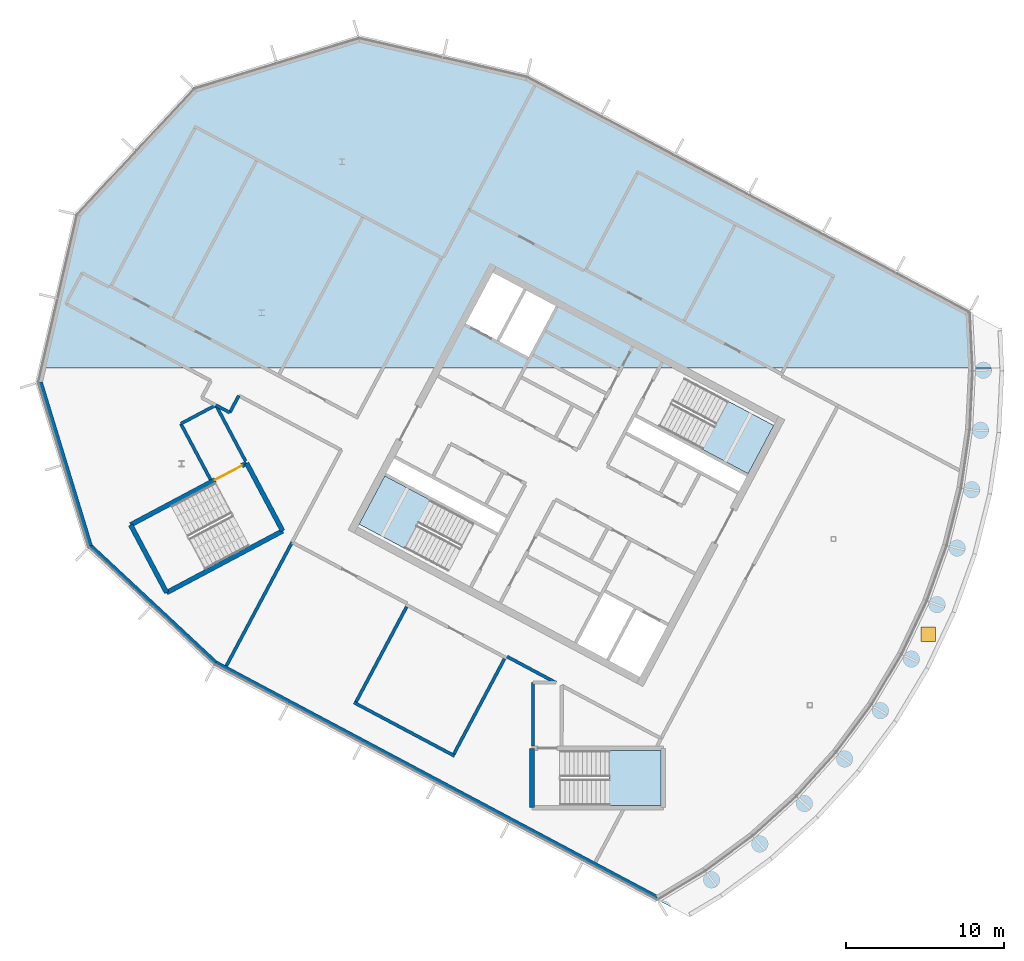
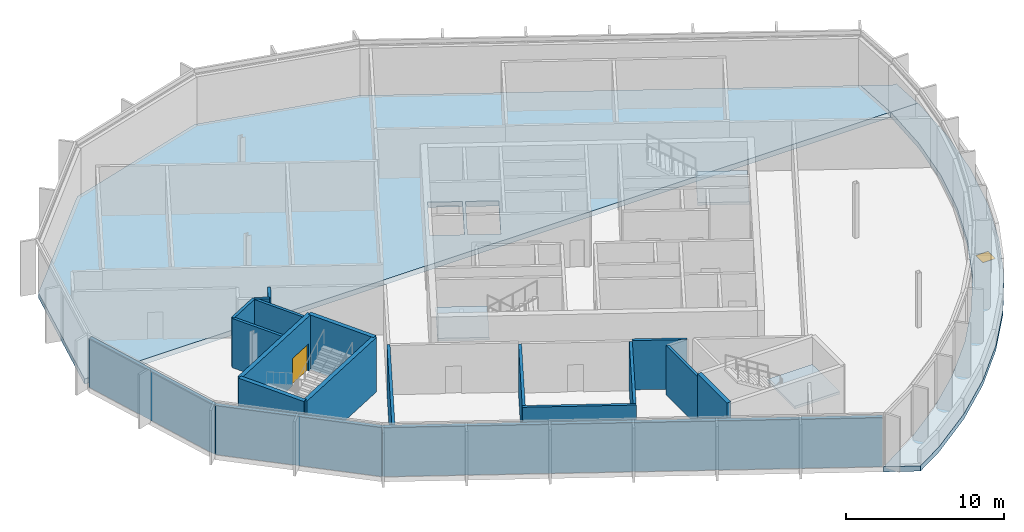
# One storey, part 5 of 16: 19 walls, 6 slabs, 2 doors, 2 openings, 3 elements without a shape of their own.
"""IFC4 building model written with IfcOpenShell, lengths in metres."""

from ifc_helpers import new_model, si_unit, direction, frame, frame_2d, origin, origin_2d, place, context, subcontext, project, spatial, polyline, rectangle, outline, extrude, material, layer, layer_set, type_object, element, fill, aggregate, save


model = new_model("IFC4")

# Units and contexts
model_context = context("Model", 3, precision=1e-05, world=origin(), true_north=direction((0.0, 1.0)))
body_context = subcontext(model_context, "Body", "Model", "MODEL_VIEW")
ifc_project = project(units=[si_unit("LENGTHUNIT", "METRE"), si_unit("AREAUNIT", "SQUARE_METRE"), si_unit("VOLUMEUNIT", "CUBIC_METRE"), si_unit("PLANEANGLEUNIT", "RADIAN"), si_unit("MASSUNIT", "GRAM", prefix="KILO")], contexts=[model_context])

# Site, building, storey
site_placement = place(None, origin())
site = spatial("IfcSite", under=ifc_project, at=site_placement, CompositionType="ELEMENT")
building_placement = place(site_placement, origin())
building = spatial("IfcBuilding", under=site, at=building_placement, Name="Cormorant Relay Tower", CompositionType="ELEMENT")
storey_placement = place(building_placement, frame((0.0, 0.0, 345.0)))
storey = spatial("IfcBuildingStorey", under=building, at=storey_placement, Name="C5", CompositionType="ELEMENT", Elevation=345.0)

# Slab
ifc_material_1 = material(Name="Concrete 40 MPa", Category="concrete")
ifc_layer_1 = layer(ifc_material_1, 0.400146484375)
ifc_layer_set_1 = layer_set([ifc_layer_1], Name="Crown floor slab 400")
slab_type_1 = type_object("IfcSlabType", Name="Crown floor slab 400", PredefinedType="FLOOR", material=ifc_layer_set_1)
slab_1_placement = place(storey_placement, frame((0.0, 0.0, -0.400146484375)))
element("IfcSlab", 1, at=slab_1_placement, inside=storey, type_object=slab_type_1, Name="Crown floor C5", PredefinedType="FLOOR", context=body_context, shape_type="SweptSolid", body=[
    extrude(outline(polyline([(-60.510498046875, 21.300048828125), (-1.7412109375, 21.300048828125), (-1.9130859375, 24.80126953125), (-29.873779296875, 39.668212890625), (-40.465576171875, 42.11328125), (-50.86083984375, 38.935302734375), (-58.2744140625, 30.985107421875), (-60.510498046875, 21.300048828125)]), holes=[polyline([(-29.75732421875, 21.99462890625), (-28.043701171875, 25.217529296875), (-29.89794921875, 26.203369140625), (-31.611572265625, 22.980712890625), (-29.75732421875, 21.99462890625)]), polyline([(-33.73046875, 24.107421875), (-31.7880859375, 23.074462890625), (-30.074462890625, 26.29736328125), (-32.01708984375, 27.330078125), (-33.73046875, 24.107421875)])]), origin(), (0.0, 0.0, 1.0), 0.400146484375),
])

# Slab, opening, door
ifc_material_2 = material(Name="Concrete 40 MPa", Category="concrete")
ifc_layer_2 = layer(ifc_material_2, 0.400146484375)
ifc_layer_set_2 = layer_set([ifc_layer_2], Name="Crown terrace roof slab 400")
slab_type_2 = type_object("IfcSlabType", Name="Crown terrace roof slab 400", PredefinedType="ROOF", material=ifc_layer_set_2)
slab_2_placement = place(storey_placement, frame((0.0, 0.0, -0.400146484375)))
slab_2 = element("IfcSlab", 2, at=slab_2_placement, inside=storey, type_object=slab_type_2, Name="Roof C4", PredefinedType="ROOF", context=body_context, shape_type="SweptSolid", body=[
    extrude(outline(polyline([(-19.579833984375, -13.373291015625), (-17.509765625, -12.132568359375), (-14.35693359375, -9.794189453125), (-11.448486328125, -7.158203125), (-8.812255859375, -4.24951171875), (-6.473876953125, -1.0966796875), (-4.455810546875, 2.2705078125), (-2.777587890625, 5.81884765625), (-1.455078125, 9.514892578125), (-0.501220703125, 13.322509765625), (0.07470703125, 17.20556640625), (0.267333984375, 21.126220703125), (0.2587890625, 21.300048828125), (-1.740234375, 21.300048828125), (-1.731689453125, 21.126220703125), (-1.731689453125, 21.126220703125), (-1.91455078125, 17.401611328125), (-1.91455078125, 17.4013671875), (-2.4619140625, 13.712646484375), (-2.4619140625, 13.71240234375), (-3.367919921875, 10.09521484375), (-3.367919921875, 10.09521484375), (-4.624267578125, 6.583984375), (-4.624267578125, 6.583740234375), (-6.21875, 3.212646484375), (-6.21875, 3.212646484375), (-8.135986328125, 0.013916015625), (-8.135986328125, 0.013916015625), (-10.357421875, -2.981201171875), (-10.357421875, -2.9814453125), (-12.86181640625, -5.744384765625), (-12.86181640625, -5.74462890625), (-15.625, -8.248779296875), (-15.625, -8.2490234375), (-18.620361328125, -10.470458984375), (-18.62060546875, -10.470458984375), (-21.6376953125, -12.279052734375), (-19.579833984375, -13.373291015625)])), origin(), (0.0, 0.0, 1.0), 0.400146484375),
])
opening_1_placement = place(slab_2_placement, frame((-4.510986328125, 4.489013671875, 0.0)))
opening_1 = element("IfcOpeningElement", 3, at=opening_1_placement, cuts=slab_2, Name="Opening CRD3-004", PredefinedType="OPENING", context=body_context, shape_type="SweptSolid", body=[
    extrude(rectangle(XDim=0.89990234375, YDim=0.89990234375, at=origin_2d()), origin(), (0.0, 0.0, 1.0), 0.400146484375),
])
ifc_material_3 = material(Name="Aluminium hatch", Category="aluminium")
door_type_1 = type_object("IfcDoorType", Name="Roof hatch 900 x 900", OperationType="SINGLE_SWING_LEFT", PredefinedType="TRAPDOOR", material=ifc_material_3)
door_1_placement = place(opening_1_placement, frame((0.0, 0.0, 0.35009765625)))
door_1 = element("IfcDoor", 4, at=door_1_placement, inside=storey, type_object=door_type_1, Name="Maintenance roof hatch", OperationType="SINGLE_SWING_LEFT", OverallHeight=0.89990234375, OverallWidth=0.89990234375, PredefinedType="TRAPDOOR", context=body_context, shape_type="SweptSolid", body=[
    extrude(rectangle(XDim=0.89990234375, YDim=0.89990234375, at=origin_2d()), origin(), (0.0, 0.0, 1.0), 0.050048828125),
])
fill(opening_1, door_1)

# Slab
slab_3_placement = place(storey_placement, frame((0.0, 0.0, -0.400146484375)))
element("IfcSlab", 5, at=slab_3_placement, inside=storey, type_object=slab_type_2, Name="Roof C4", PredefinedType="ROOF", context=body_context, shape_type="SweptSolid", body=[
    extrude(outline(polyline([(-1.740234375, 21.300048828125), (0.2587890625, 21.300048828125), (0.13330078125, 23.85498046875), (0.0, 23.783935546875), (-1.912109375, 24.80078125), (-1.740234375, 21.300048828125)])), origin(), (0.0, 0.0, 1.0), 0.400146484375),
])

# Stair, slab
ifc_material_4 = material(Name="Concrete 40 MPa", Category="concrete")
stair_type = type_object("IfcStairType", Name="Exit stair 1500", PredefinedType="HALF_TURN_STAIR", material=ifc_material_4)
stair_1_placement = place(storey_placement, origin())
stair_1 = element("IfcStair", 6, at=stair_1_placement, inside=storey, type_object=stair_type, Name="C5 Stair", PredefinedType="HALF_TURN_STAIR")
ifc_material_5 = material(Name="Concrete 40 MPa", Category="concrete")
ifc_layer_3 = layer(ifc_material_5, 0.199951171875)
ifc_layer_set_3 = layer_set([ifc_layer_3], Name="Exit stair landing 200")
slab_type_3 = type_object("IfcSlabType", Name="Exit stair landing 200", PredefinedType="LANDING", material=ifc_layer_set_3)
slab_4_placement = place(storey_placement, frame((0.0, 0.0, 1.89990234375)))
slab_4 = element("IfcSlab", 7, at=slab_4_placement, type_object=slab_type_3, Name="A1 landing 1", PredefinedType="LANDING", context=body_context, shape_type="SweptSolid", body=[
    extrude(outline(polyline([(-18.7822265625, 16.1591796875), (-15.89501953125, 14.6240234375), (-14.275390625, 17.670166015625), (-17.16259765625, 19.205322265625), (-18.7822265625, 16.1591796875)])), origin(), (0.0, 0.0, 1.0), 0.2001953125),
])
aggregate(stair_1, [slab_4])

stair_2_placement = place(storey_placement, origin())
stair_2 = element("IfcStair", 8, at=stair_2_placement, inside=storey, type_object=stair_type, Name="C5 Stair", PredefinedType="HALF_TURN_STAIR")
slab_5_placement = place(storey_placement, frame((0.0, 0.0, 1.89990234375)))
slab_5 = element("IfcSlab", 9, at=slab_5_placement, type_object=slab_type_3, Name="A2 landing 1", PredefinedType="LANDING", context=body_context, shape_type="SweptSolid", body=[
    extrude(outline(polyline([(-35.96044921875, 12.947998046875), (-38.84765625, 14.483154296875), (-40.467529296875, 11.43701171875), (-37.580322265625, 9.90185546875), (-35.96044921875, 12.947998046875)])), origin(), (0.0, 0.0, 1.0), 0.2001953125),
])
aggregate(stair_2, [slab_5])

stair_3_placement = place(storey_placement, origin())
stair_3 = element("IfcStair", 10, at=stair_3_placement, inside=storey, type_object=stair_type, Name="C5 Stair", PredefinedType="HALF_TURN_STAIR")
slab_6_placement = place(storey_placement, frame((0.0, 0.0, 1.89990234375)))
slab_6 = element("IfcSlab", 11, at=slab_6_placement, type_object=slab_type_3, Name="RC1 landing 1", PredefinedType="LANDING", context=body_context, shape_type="SweptSolid", body=[
    extrude(outline(polyline([(-24.669921875, -6.324951171875), (-21.39990234375, -6.324951171875), (-21.39990234375, -2.875), (-24.669921875, -2.875), (-24.669921875, -6.324951171875)])), origin(), (0.0, 0.0, 1.0), 0.2001953125),
])
aggregate(stair_3, [slab_6])

# Walls
ifc_material_6 = material(Name="Concrete 30 MPa block wall", Category="concrete")
ifc_layer_4 = layer(ifc_material_6, 0.199951171875)
ifc_layer_set_4 = layer_set([ifc_layer_4], Name="Crown plant room wall 200")
wall_type_1 = type_object("IfcWallType", Name="Crown plant room wall 200", PredefinedType="PARTITIONING", material=ifc_layer_set_4)
wall_1_placement = place(storey_placement, frame((-34.43701171875, -3.208251953125, 0.0), z_axis=(0.0, 0.0, 1.0), x_axis=(-0.882957622595, 0.46945269911, 0.0)))
element("IfcWall", 12, at=wall_1_placement, inside=storey, type_object=wall_type_1, Name="Plant room wall", PredefinedType="PARTITIONING", context=body_context, shape_type="SweptSolid", body=[
    extrude(rectangle(XDim=7.2001953125, YDim=0.199951171875, at=frame_2d((3.60009765625, 0.0))), origin(), (0.0, 0.0, 1.0), 3.7998046875),
])
for number, where, z_axis, x_axis, name in (
    (13, (-31.2861328125, 2.930908203125, 0.0), (0.0, 0.0, 1.0), (-0.469477207229, -0.882944591632, 0.0), "Plant room wall"),
    (14, (-37.466796875, 6.21728515625, 0.0), (0.0, 0.0, 1.0), (-0.469477207229, -0.882944591632, 0.0), "Plant room wall"),
):
    element("IfcWall", number, at=place(storey_placement, frame(where, z_axis=z_axis, x_axis=x_axis)), inside=storey, type_object=wall_type_1, Name=name, PredefinedType="PARTITIONING", context=body_context, shape_type="SweptSolid", body=[
        extrude(rectangle(XDim=6.7998046875, YDim=0.199951171875, at=frame_2d((3.39990234375, 0.0))), origin(), (0.0, 0.0, 1.0), 3.7998046875),
    ])
wall_2_placement = place(storey_placement, frame((-48.06591796875, 19.554443359375, 0.0), z_axis=(0.0, 0.0, 1.0), x_axis=(-0.472372077366, -0.881399240143, 0.0)))
element("IfcWall", 15, at=wall_2_placement, inside=storey, type_object=wall_type_1, Name="Plant room wall", PredefinedType="PARTITIONING", context=body_context, shape_type="SweptSolid", body=[
    extrude(rectangle(XDim=1.214111328125, YDim=0.199951171875, at=frame_2d((0.60693359375, 0.0))), origin(), (0.0, 0.0, 1.0), 3.7998046875),
])
wall_3_placement = place(storey_placement, frame((-48.639404296875, 18.484375, 0.0), z_axis=(0.0, 0.0, 1.0), x_axis=(-0.883070878111, 0.469239623467, 0.0)))
element("IfcWall", 16, at=wall_3_placement, inside=storey, type_object=wall_type_1, Name="Plant room wall", PredefinedType="PARTITIONING", context=body_context, shape_type="SweptSolid", body=[
    extrude(rectangle(XDim=0.987060546875, YDim=0.199951171875, at=frame_2d((0.49365234375, 0.0))), origin(), (0.0, 0.0, 1.0), 3.7998046875),
])
wall_4_placement = place(storey_placement, frame((-49.510986328125, 18.947509765625, 0.0), z_axis=(0.0, 0.0, 1.0), x_axis=(0.467853974405, -0.883805781059, 0.0)))
element("IfcWall", 17, at=wall_4_placement, inside=storey, type_object=wall_type_1, Name="Plant room wall", PredefinedType="PARTITIONING", context=body_context, shape_type="SweptSolid", body=[
    extrude(rectangle(XDim=3.98876953125, YDim=0.199951171875, at=frame_2d((1.994384765625, 0.0))), origin(), (0.0, 0.0, 1.0), 3.7998046875),
])
wall_5_placement = place(storey_placement, frame((-49.851806640625, 14.248291015625, 0.0), z_axis=(0.0, 0.0, 1.0), x_axis=(-0.469510728702, 0.882926766858, 0.0)))
element("IfcWall", 18, at=wall_5_placement, inside=storey, type_object=wall_type_1, Name="Plant room wall", PredefinedType="PARTITIONING", context=body_context, shape_type="SweptSolid", body=[
    extrude(rectangle(XDim=3.999755859375, YDim=0.199951171875, at=frame_2d((2.0, 0.0))), origin(), (0.0, 0.0, 1.0), 3.7998046875),
])
wall_6_placement = place(storey_placement, frame((-51.729736328125, 17.77978515625, 0.0), z_axis=(0.0, 0.0, 1.0), x_axis=(0.882878437933, 0.469601601182, 0.0)))
element("IfcWall", 19, at=wall_6_placement, inside=storey, type_object=wall_type_1, Name="Plant room wall", PredefinedType="PARTITIONING", context=body_context, shape_type="SweptSolid", body=[
    extrude(rectangle(XDim=2.492431640625, YDim=0.199951171875, at=frame_2d((1.24609375, 0.0))), origin(), (0.0, 0.0, 1.0), 3.7998046875),
])
wall_7_placement = place(storey_placement, frame((-29.474853515625, -2.574951171875, 0.0), z_axis=(0.0, 0.0, 1.0), x_axis=(-6.1038882e-05, 0.999999998137, 0.0)))
element("IfcWall", 20, at=wall_7_placement, inside=storey, type_object=wall_type_1, Name="Plant room wall", PredefinedType="PARTITIONING", context=body_context, shape_type="SweptSolid", body=[
    extrude(rectangle(XDim=3.999755859375, YDim=0.199951171875, at=frame_2d((2.0, 0.0))), origin(), (0.0, 0.0, 1.0), 3.7998046875),
])
wall_8_placement = place(storey_placement, frame((-28.043701171875, 1.425048828125, 0.0), z_axis=(0.0, 0.0, 1.0), x_axis=(-0.881938187053, 0.471365075305, 0.0)))
element("IfcWall", 21, at=wall_8_placement, inside=storey, type_object=wall_type_1, Name="Plant room wall", PredefinedType="PARTITIONING", context=body_context, shape_type="SweptSolid", body=[
    extrude(rectangle(XDim=3.489990234375, YDim=0.199951171875, at=frame_2d((1.7451171875, 0.0))), origin(), (0.0, 0.0, 1.0), 3.7998046875),
])
wall_9_placement = place(storey_placement, frame((-44.69287109375, 10.30859375, 0.0), z_axis=(0.0, 0.0, 1.0), x_axis=(-0.469467804358, -0.88294959124, 0.0)))
element("IfcWall", 22, at=wall_9_placement, inside=storey, type_object=wall_type_1, Name="Plant room wall", PredefinedType="PARTITIONING", context=body_context, shape_type="SweptSolid", body=[
    extrude(rectangle(XDim=8.86962890625, YDim=0.199951171875, at=frame_2d((4.434814453125, 0.0))), origin(), (0.0, 0.0, 1.0), 3.7998046875),
])
ifc_material_7 = material(Name="Bronze cladding on Concrete 30 MPa block wall", Category="concrete")
ifc_layer_5 = layer(ifc_material_7, 0.25)
ifc_layer_set_5 = layer_set([ifc_layer_5], Name="Crown wall 250")
wall_type_2 = type_object("IfcWallType", Name="Crown wall 250", PredefinedType="STANDARD", material=ifc_layer_set_5)
wall_10_placement = place(storey_placement, frame((-57.431884765625, 10.06640625, 0.0), z_axis=(0.0, 0.0, 1.0), x_axis=(-0.292379862982, 0.956302261695, 0.0)))
element("IfcWall", 23, at=wall_10_placement, inside=storey, type_object=wall_type_2, Name="Crown wall C5", PredefinedType="STANDARD", context=body_context, shape_type="SweptSolid", body=[
    extrude(rectangle(XDim=10.803466796875, YDim=0.25, at=frame_2d((5.40185546875, 0.0))), origin(), (0.0, 0.0, 1.0), 3.7998046875),
])
wall_11_placement = place(storey_placement, frame((-21.642578125, -12.135009765625, 0.0), z_axis=(0.0, 0.0, 1.0), x_axis=(-0.882944551485, 0.469477282733, 0.0)))
element("IfcWall", 24, at=wall_11_placement, inside=storey, type_object=wall_type_2, Name="Crown wall C5", PredefinedType="STANDARD", context=body_context, shape_type="SweptSolid", body=[
    extrude(rectangle(XDim=31.5712890625, YDim=0.25, at=frame_2d((15.78564453125, 0.0))), origin(), (0.0, 0.0, 1.0), 3.7998046875),
])
wall_12_placement = place(storey_placement, frame((-49.518310546875, 2.68701171875, 0.0), z_axis=(0.0, 0.0, 1.0), x_axis=(-0.731359823822, 0.681991794745, 0.0)))
element("IfcWall", 25, at=wall_12_placement, inside=storey, type_object=wall_type_2, Name="Crown wall C5", PredefinedType="STANDARD", context=body_context, shape_type="SweptSolid", body=[
    extrude(rectangle(XDim=10.8203125, YDim=0.25, at=frame_2d((5.41015625, 0.0))), origin(), (0.0, 0.0, 1.0), 3.7998046875),
])
ifc_material_8 = material(Name="Concrete 50 MPa", Category="concrete")
ifc_layer_6 = layer(ifc_material_8, 0.300048828125)
ifc_layer_set_6 = layer_set([ifc_layer_6], Name="Remote stair wall 300")
wall_type_3 = type_object("IfcWallType", Name="Remote stair wall 300", PredefinedType="SHEAR", material=ifc_layer_set_6)
wall_13_placement = place(storey_placement, frame((-47.57421875, 15.28955078125, 0.0), z_axis=(0.0, 0.0, 1.0), x_axis=(0.469443498566, -0.882962514297, 0.0)))
element("IfcWall", 26, at=wall_13_placement, inside=storey, type_object=wall_type_3, Name="C5 exit stair RP1 wall", PredefinedType="SHEAR", context=body_context, shape_type="SweptSolid", body=[
    extrude(rectangle(XDim=4.85009765625, YDim=0.300048828125, at=frame_2d((2.425048828125, 0.0))), origin(), (0.0, 0.0, 1.0), 4.199951171875),
])
wall_14_placement = place(storey_placement, frame((-45.29736328125, 11.007080078125, 0.0), z_axis=(0.0, 0.0, 1.0), x_axis=(-0.882951519127, -0.469464178475, 0.0)))
element("IfcWall", 27, at=wall_14_placement, inside=storey, type_object=wall_type_3, Name="C5 exit stair RP1 wall", PredefinedType="SHEAR", context=body_context, shape_type="SweptSolid", body=[
    extrude(rectangle(XDim=8.2998046875, YDim=0.300048828125, at=frame_2d((4.14990234375, 0.0))), origin(), (0.0, 0.0, 1.0), 4.199951171875),
])
wall_15_placement = place(storey_placement, frame((-52.625732421875, 7.110595703125, 0.0), z_axis=(0.0, 0.0, 1.0), x_axis=(-0.469464364128, 0.882951420416, 0.0)))
element("IfcWall", 28, at=wall_15_placement, inside=storey, type_object=wall_type_3, Name="C5 exit stair RP1 wall", PredefinedType="SHEAR", context=body_context, shape_type="SweptSolid", body=[
    extrude(rectangle(XDim=4.849853515625, YDim=0.300048828125, at=frame_2d((2.4248046875, 0.0))), origin(), (0.0, 0.0, 1.0), 4.199951171875),
])

# Wall, opening, door
wall_16_placement = place(storey_placement, frame((-54.902587890625, 11.392822265625, 0.0), z_axis=(0.0, 0.0, 1.0), x_axis=(0.882939326045, 0.469487110071, 0.0)))
wall_16 = element("IfcWall", 29, at=wall_16_placement, inside=storey, type_object=wall_type_3, Name="C5 exit stair RP1 wall", PredefinedType="SHEAR", context=body_context, shape_type="SweptSolid", body=[
    extrude(rectangle(XDim=8.300048828125, YDim=0.300048828125, at=frame_2d((4.14990234375, 0.0))), origin(), (0.0, 0.0, 1.0), 4.199951171875),
])
opening_2_placement = place(wall_16_placement, frame((6.050048828125, 0.0, 0.0)))
opening_2 = element("IfcOpeningElement", 30, at=opening_2_placement, cuts=wall_16, Name="Opening CDE-018", PredefinedType="OPENING", context=body_context, shape_type="SweptSolid", body=[
    extrude(rectangle(XDim=1.89990234375, YDim=2.10009765625, at=frame_2d((0.949951171875, 1.050048828125))), frame((0.0, 0.159912109375, 0.0), z_axis=(0.0, -1.0, 0.0), x_axis=(1.0, 0.0, 0.0)), (0.0, 0.0, 1.0), 0.320068359375),
])
ifc_material_9 = material(Name="Steel fire door", Category="steel")
door_type_2 = type_object("IfcDoorType", Name="Remote stair door 1900x2100", OperationType="DOUBLE_DOOR_SINGLE_SWING", PredefinedType="DOOR", material=ifc_material_9)
door_2_placement = place(opening_2_placement, origin())
door_2 = element("IfcDoor", 31, at=door_2_placement, inside=storey, type_object=door_type_2, Name="Exit stair RP1 door", OperationType="DOUBLE_DOOR_SINGLE_SWING", OverallHeight=2.10009765625, OverallWidth=1.89990234375, PredefinedType="DOOR", context=body_context, shape_type="SweptSolid", body=[
    extrude(rectangle(XDim=1.89990234375, YDim=2.10009765625, at=frame_2d((0.949951171875, 1.050048828125))), frame((0.0, 0.02490234375, 0.0), z_axis=(0.0, -1.0, 0.0), x_axis=(1.0, 0.0, 0.0)), (0.0, 0.0, 1.0), 0.050048828125),
])
fill(opening_2, door_2)

# Wall
wall_17_placement = place(storey_placement, frame((-29.550048828125, -6.47509765625, 0.0), z_axis=(0.0, 0.0, 1.0), x_axis=(0.0, 1.0, 0.0)))
element("IfcWall", 32, at=wall_17_placement, inside=storey, type_object=wall_type_3, Name="C5 exit stair RC1 wall", PredefinedType="SHEAR", context=body_context, shape_type="SweptSolid", body=[
    extrude(rectangle(XDim=3.75, YDim=0.300048828125, at=frame_2d((1.875, 0.0))), origin(), (0.0, 0.0, 1.0), 4.199951171875),
])

save(model, "model.ifc")
